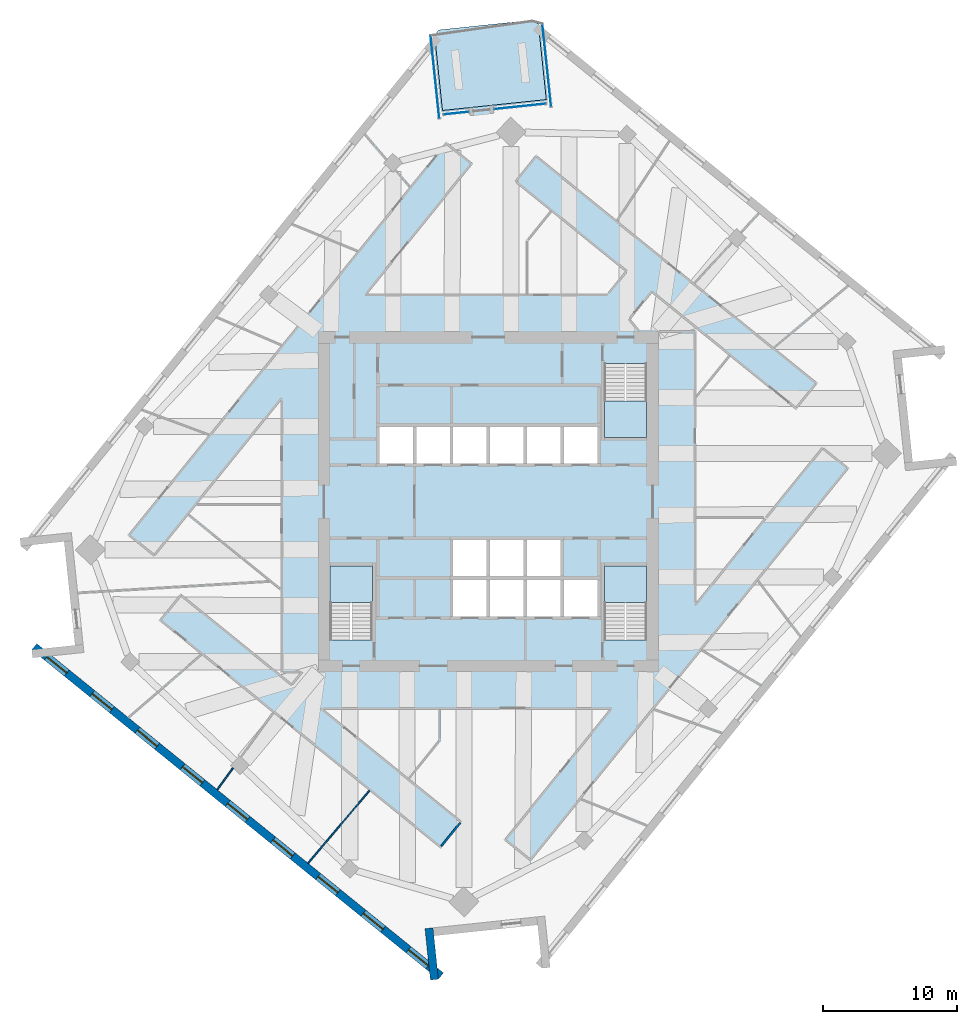
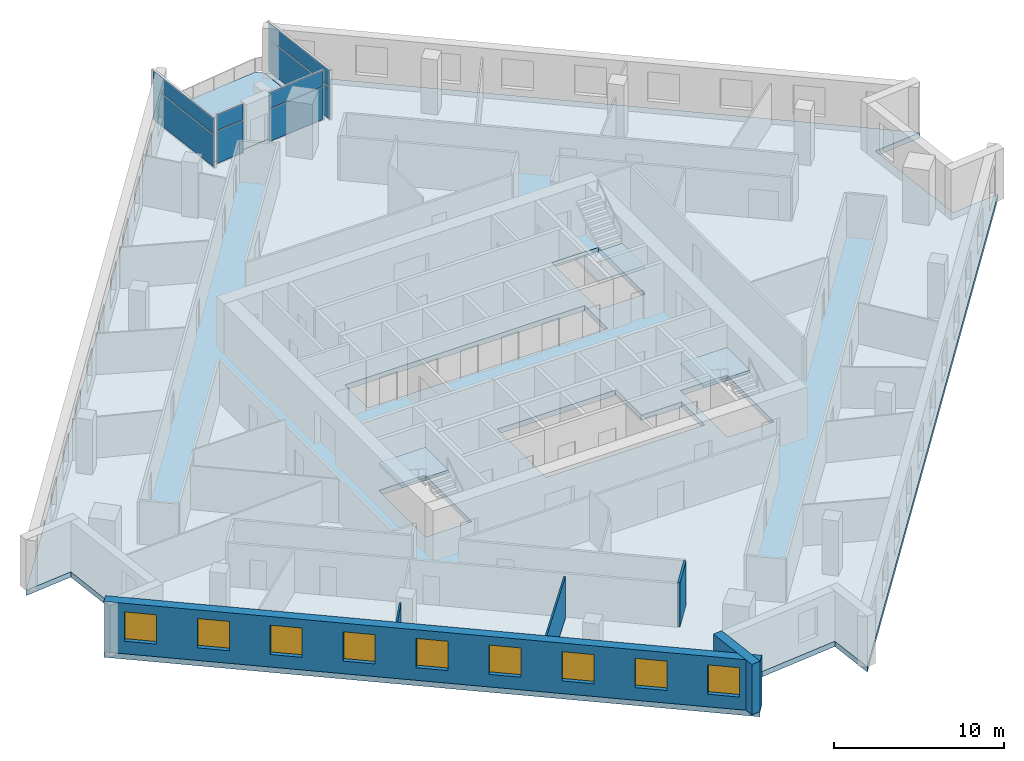
# One storey, part 6 of 14: 9 windows, 8 plates, 5 slabs, 5 walls, 9 openings, 7 elements without a shape of their own.
"""IFC4 building model written with IfcOpenShell, lengths in metres."""

from ifc_helpers import new_model, si_unit, direction, frame, frame_2d, origin, origin_2d, place, context, subcontext, project, spatial, polyline, rectangle, outline, extrude, material, layer, layer_set, type_object, element, fill, aggregate, save


model = new_model("IFC4")

# Units and contexts
model_context = context("Model", 3, precision=1e-05, world=origin(), true_north=direction((0.0, 1.0)))
body_context = subcontext(model_context, "Body", "Model", "MODEL_VIEW")
ifc_project = project(units=[si_unit("LENGTHUNIT", "METRE"), si_unit("AREAUNIT", "SQUARE_METRE"), si_unit("VOLUMEUNIT", "CUBIC_METRE"), si_unit("PLANEANGLEUNIT", "RADIAN"), si_unit("MASSUNIT", "GRAM", prefix="KILO")], contexts=[model_context])

# Site, building, storey
site_placement = place(None, origin())
site = spatial("IfcSite", under=ifc_project, at=site_placement, CompositionType="ELEMENT")
building_placement = place(site_placement, origin())
building = spatial("IfcBuilding", under=site, at=building_placement, Name="Dilmun Exchange Tower", CompositionType="ELEMENT")
storey_placement = place(building_placement, frame((0.0, 0.0, 225.300048828125)))
storey = spatial("IfcBuildingStorey", under=building, at=storey_placement, Name="L53", CompositionType="ELEMENT", Elevation=225.300048828125)

# Stair, slab
ifc_material_1 = material(Name="Concrete C40/50", Category="concrete")
stair_type = type_object("IfcStairType", Name="Exit stair 1500 half-turn", PredefinedType="HALF_TURN_STAIR", material=ifc_material_1)
stair_1_placement = place(storey_placement, origin())
stair_1 = element("IfcStair", 1, at=stair_1_placement, inside=storey, type_object=stair_type, Name="L53 Protected exit stair ST1", PredefinedType="HALF_TURN_STAIR")
ifc_layer_1 = layer(ifc_material_1, 0.199951171875)
ifc_layer_set_1 = layer_set([ifc_layer_1], Name="Concrete C40/50")
slab_type_1 = type_object("IfcSlabType", Name="Exit stair landing 200", PredefinedType="LANDING", material=ifc_layer_set_1)
slab_1_placement = place(storey_placement, frame((0.0, 0.0, 1.800048828125)))
slab_1 = element("IfcSlab", 2, at=slab_1_placement, type_object=slab_type_1, Name="ST1 landing 1", PredefinedType="LANDING", context=body_context, shape_type="SweptSolid", body=[
    extrude(outline(polyline([(8.64990234375, 7.5), (8.64990234375, 4.800048828125), (11.800048828125, 4.800048828125), (11.800048828125, 7.5), (8.64990234375, 7.5)])), origin(), (0.0, 0.0, 1.0), 0.199951171875),
])
aggregate(stair_1, [slab_1])

stair_2_placement = place(storey_placement, origin())
stair_2 = element("IfcStair", 3, at=stair_2_placement, inside=storey, type_object=stair_type, Name="L53 Protected exit stair ST2", PredefinedType="HALF_TURN_STAIR")
slab_2_placement = place(storey_placement, frame((0.0, 0.0, 1.800048828125)))
slab_2 = element("IfcSlab", 4, at=slab_2_placement, type_object=slab_type_1, Name="ST2 landing 1", PredefinedType="LANDING", context=body_context, shape_type="SweptSolid", body=[
    extrude(outline(polyline([(-8.64990234375, -7.5), (-8.64990234375, -4.800048828125), (-11.800048828125, -4.800048828125), (-11.800048828125, -7.5), (-8.64990234375, -7.5)])), origin(), (0.0, 0.0, 1.0), 0.199951171875),
])
aggregate(stair_2, [slab_2])

stair_3_placement = place(storey_placement, origin())
stair_3 = element("IfcStair", 5, at=stair_3_placement, inside=storey, type_object=stair_type, Name="L53 Protected exit stair ST3", PredefinedType="HALF_TURN_STAIR")
slab_3_placement = place(storey_placement, frame((0.0, 0.0, 1.800048828125)))
slab_3 = element("IfcSlab", 6, at=slab_3_placement, type_object=slab_type_1, Name="ST3 landing 1", PredefinedType="LANDING", context=body_context, shape_type="SweptSolid", body=[
    extrude(outline(polyline([(11.800048828125, -7.5), (11.800048828125, -4.800048828125), (8.64990234375, -4.800048828125), (8.64990234375, -7.5), (11.800048828125, -7.5)])), origin(), (0.0, 0.0, 1.0), 0.199951171875),
])
aggregate(stair_3, [slab_3])

# Curtain wall, plates
ifc_material_2 = material(Name="Anodised aluminium and clear glass", Category="aluminium")
curtain_wall_type = type_object("IfcCurtainWallType", Name="Garden corner glazing", PredefinedType="NOTDEFINED", material=ifc_material_2)
curtain_wall_1_placement = place(storey_placement, origin())
curtain_wall_1 = element("IfcCurtainWall", 7, at=curtain_wall_1_placement, inside=storey, type_object=curtain_wall_type, Name="Garden corner glazing run GC1.1", PredefinedType="NOTDEFINED")
ifc_material_3 = material(Name="Clear glass", Category="glass")
ifc_layer_2 = layer(ifc_material_3, 0.028076171875)
ifc_layer_set_2 = layer_set([ifc_layer_2], Name="Clear glass")
plate_type = type_object("IfcPlateType", Name="Garden corner glazing glass panel 28", PredefinedType="CURTAIN_PANEL", material=ifc_layer_set_2)
plate_1_placement = place(storey_placement, frame((4.35009765625, 32.511474609375, 0.059814453125), z_axis=(0.0, 0.0, 1.0), x_axis=(0.104539779931, -0.994520705874, 0.0)))
plate_1 = element("IfcPlate", 8, at=plate_1_placement, type_object=plate_type, Name="GC1.1 panel 1.1", PredefinedType="CURTAIN_PANEL", context=body_context, shape_type="SweptSolid", body=[
    extrude(rectangle(XDim=6.12646484375, YDim=0.028076171875, at=origin_2d()), origin(), (0.0, 0.0, 1.0), 2.31005859375),
])
plate_2_placement = place(storey_placement, frame((4.35009765625, 32.511474609375, 2.429931640625), z_axis=(0.0, 0.0, 1.0), x_axis=(0.104539779931, -0.994520705874, 0.0)))
plate_2 = element("IfcPlate", 9, at=plate_2_placement, type_object=plate_type, Name="GC1.1 panel 1.2", PredefinedType="CURTAIN_PANEL", context=body_context, shape_type="SweptSolid", body=[
    extrude(rectangle(XDim=6.12646484375, YDim=0.028076171875, at=origin_2d()), origin(), (0.0, 0.0, 1.0), 1.1298828125),
])
aggregate(curtain_wall_1, [plate_1, plate_2])

curtain_wall_2_placement = place(storey_placement, origin())
curtain_wall_2 = element("IfcCurtainWall", 10, at=curtain_wall_2_placement, inside=storey, type_object=curtain_wall_type, Name="Garden corner glazing run GC2.1", PredefinedType="NOTDEFINED")
plate_3_placement = place(storey_placement, frame((2.36328125, 29.4638671875, 0.059814453125), z_axis=(0.0, 0.0, 1.0), x_axis=(-0.994521101078, -0.104536020157, 0.0)))
plate_3 = element("IfcPlate", 11, at=plate_3_placement, type_object=plate_type, Name="GC2.1 panel 1.1", PredefinedType="CURTAIN_PANEL", context=body_context, shape_type="SweptSolid", body=[
    extrude(rectangle(XDim=3.869140625, YDim=0.028076171875, at=origin_2d()), origin(), (0.0, 0.0, 1.0), 2.31005859375),
])
plate_4_placement = place(storey_placement, frame((2.36328125, 29.4638671875, 2.429931640625), z_axis=(0.0, 0.0, 1.0), x_axis=(-0.994521101078, -0.104536020157, 0.0)))
plate_4 = element("IfcPlate", 12, at=plate_4_placement, type_object=plate_type, Name="GC2.1 panel 1.2", PredefinedType="CURTAIN_PANEL", context=body_context, shape_type="SweptSolid", body=[
    extrude(rectangle(XDim=3.869140625, YDim=0.028076171875, at=origin_2d()), origin(), (0.0, 0.0, 1.0), 1.1298828125),
])
aggregate(curtain_wall_2, [plate_3, plate_4])

curtain_wall_3_placement = place(storey_placement, origin())
curtain_wall_3 = element("IfcCurtainWall", 13, at=curtain_wall_3_placement, inside=storey, type_object=curtain_wall_type, Name="Garden corner glazing run GC2.3", PredefinedType="NOTDEFINED")
plate_5_placement = place(storey_placement, frame((-2.399658203125, 28.963134765625, 0.059814453125), z_axis=(0.0, 0.0, 1.0), x_axis=(-0.99452279416, -0.104519911481, 0.0)))
plate_5 = element("IfcPlate", 14, at=plate_5_placement, type_object=plate_type, Name="GC2.3 panel 1.1", PredefinedType="CURTAIN_PANEL", context=body_context, shape_type="SweptSolid", body=[
    extrude(rectangle(XDim=1.869140625, YDim=0.028076171875, at=origin_2d()), origin(), (0.0, 0.0, 1.0), 2.31005859375),
])
plate_6_placement = place(storey_placement, frame((-2.399658203125, 28.963134765625, 2.429931640625), z_axis=(0.0, 0.0, 1.0), x_axis=(-0.99452279416, -0.104519911481, 0.0)))
plate_6 = element("IfcPlate", 15, at=plate_6_placement, type_object=plate_type, Name="GC2.3 panel 1.2", PredefinedType="CURTAIN_PANEL", context=body_context, shape_type="SweptSolid", body=[
    extrude(rectangle(XDim=1.869140625, YDim=0.028076171875, at=origin_2d()), origin(), (0.0, 0.0, 1.0), 1.1298828125),
])
aggregate(curtain_wall_3, [plate_5, plate_6])

curtain_wall_4_placement = place(storey_placement, origin())
curtain_wall_4 = element("IfcCurtainWall", 16, at=curtain_wall_4_placement, inside=storey, type_object=curtain_wall_type, Name="Garden corner glazing run GC3.1", PredefinedType="NOTDEFINED")
plate_7_placement = place(storey_placement, frame((-3.982177734375, 31.635498046875, 0.059814453125), z_axis=(0.0, 0.0, 1.0), x_axis=(-0.104539779931, 0.994520705874, 0.0)))
plate_7 = element("IfcPlate", 17, at=plate_7_placement, type_object=plate_type, Name="GC3.1 panel 1.1", PredefinedType="CURTAIN_PANEL", context=body_context, shape_type="SweptSolid", body=[
    extrude(rectangle(XDim=6.12646484375, YDim=0.028076171875, at=origin_2d()), origin(), (0.0, 0.0, 1.0), 2.31005859375),
])
plate_8_placement = place(storey_placement, frame((-3.982177734375, 31.635498046875, 2.429931640625), z_axis=(0.0, 0.0, 1.0), x_axis=(-0.104539779931, 0.994520705874, 0.0)))
plate_8 = element("IfcPlate", 18, at=plate_8_placement, type_object=plate_type, Name="GC3.1 panel 1.2", PredefinedType="CURTAIN_PANEL", context=body_context, shape_type="SweptSolid", body=[
    extrude(rectangle(XDim=6.12646484375, YDim=0.028076171875, at=origin_2d()), origin(), (0.0, 0.0, 1.0), 1.1298828125),
])
aggregate(curtain_wall_4, [plate_7, plate_8])

# Slabs
ifc_layer_3 = layer(ifc_material_1, 0.3798828125)
ifc_layer_set_3 = layer_set([ifc_layer_3], Name="Concrete C40/50")
slab_type_2 = type_object("IfcSlabType", Name="RC floor slab 380", PredefinedType="FLOOR", material=ifc_layer_set_3)
slab_4_placement = place(storey_placement, frame((0.0, 0.0, -0.380126953125)))
element("IfcSlab", 19, at=slab_4_placement, inside=storey, type_object=slab_type_2, Name="Floor slab", PredefinedType="FLOOR", context=body_context, shape_type="SweptSolid", body=[
    extrude(outline(polyline([(30.805419921875, 10.703369140625), (31.618408203125, 2.9677734375), (34.846923828125, 3.30712890625), (4.01025390625, -34.773193359375), (3.6708984375, -31.54443359375), (-4.064697265625, -32.357421875), (-3.725341796875, -35.586181640625), (-34.033935546875, -11.04248046875), (-30.805419921875, -10.703369140625), (-31.618408203125, -2.9677734375), (-34.846923828125, -3.30712890625), (-4.01025390625, 34.773193359375), (-3.420166015625, 29.15771484375), (4.3154296875, 29.970703125), (3.725341796875, 35.586181640625), (34.033935546875, 11.04248046875), (30.805419921875, 10.703369140625)]), holes=[polyline([(-8.64990234375, -4.800048828125), (-11.800048828125, -4.800048828125), (-11.800048828125, -10.294921875), (-8.64990234375, -10.294921875), (-8.64990234375, -4.800048828125)]), polyline([(11.800048828125, -4.800048828125), (8.64990234375, -4.800048828125), (8.64990234375, -10.294921875), (11.800048828125, -10.294921875), (11.800048828125, -4.800048828125)]), polyline([(5.375, -2.85009765625), (-2.625, -2.85009765625), (-2.625, -8.550048828125), (8.125, -8.550048828125), (8.125, -5.85009765625), (5.375, -5.85009765625), (5.375, -2.85009765625)]), polyline([(8.125, 2.85009765625), (8.125, 5.550048828125), (-8.125, 5.550048828125), (-8.125, 2.85009765625), (8.125, 2.85009765625)]), polyline([(8.64990234375, 10.294921875), (8.64990234375, 4.800048828125), (11.800048828125, 4.800048828125), (11.800048828125, 10.294921875), (8.64990234375, 10.294921875)])]), origin(), (0.0, 0.0, 1.0), 0.380126953125),
])
ifc_layer_4 = layer(ifc_material_1, 0.300048828125)
ifc_layer_set_4 = layer_set([ifc_layer_4], Name="Concrete C40/50")
slab_type_3 = type_object("IfcSlabType", Name="RC garden terrace slab 300", PredefinedType="FLOOR", material=ifc_layer_set_4)
slab_5_placement = place(storey_placement, frame((0.0, 0.0, -0.300048828125)))
element("IfcSlab", 20, at=slab_5_placement, inside=storey, type_object=slab_type_3, Name="Garden terrace slab", PredefinedType="FLOOR", context=body_context, shape_type="SweptSolid", body=[
    extrude(outline(polyline([(-3.420166015625, 29.15771484375), (-4.01025390625, 34.773193359375), (-3.695556640625, 35.16162109375), (3.336669921875, 35.90087890625), (3.725341796875, 35.586181640625), (4.3154296875, 29.970703125), (-3.420166015625, 29.15771484375)])), origin(), (0.0, 0.0, 1.0), 0.300048828125),
])

# Walls
ifc_material_4 = material(Name="Corridor wall 150")
ifc_layer_5 = layer(ifc_material_4, 0.14990234375)
ifc_layer_set_5 = layer_set([ifc_layer_5], Name="Corridor wall 150")
wall_type_1 = type_object("IfcWallType", Name="Corridor wall 150", PredefinedType="PARTITIONING", material=ifc_layer_set_5)
wall_1_placement = place(storey_placement, frame((-3.5107421875, -25.6767578125, 0.0), z_axis=(0.0, 0.0, 1.0), x_axis=(0.629260625875, 0.777194354536, 0.0)))
element("IfcWall", 21, at=wall_1_placement, inside=storey, type_object=wall_type_1, Name="Corridor wall", PredefinedType="PARTITIONING", context=body_context, shape_type="SweptSolid", body=[
    extrude(rectangle(XDim=2.2509765625, YDim=0.14990234375, at=frame_2d((1.12548828125, 0.0))), origin(), (0.0, 0.0, 1.0), 3.169921875),
])
ifc_material_5 = material(Name="Partition 100")
ifc_layer_6 = layer(ifc_material_5, 0.10009765625)
ifc_layer_set_6 = layer_set([ifc_layer_6], Name="Partition 100")
wall_type_2 = type_object("IfcWallType", Name="Partition 100", PredefinedType="PARTITIONING", material=ifc_layer_set_6)
wall_2_placement = place(storey_placement, frame((-20.20849609375, -21.463623046875, 0.0), z_axis=(0.0, 0.0, 1.0), x_axis=(0.588273501318, 0.808662035492, 0.0)))
element("IfcWall", 22, at=wall_2_placement, inside=storey, type_object=wall_type_2, Name="Partition", PredefinedType="PARTITIONING", context=body_context, shape_type="SweptSolid", body=[
    extrude(rectangle(XDim=1.99609375, YDim=0.10009765625, at=frame_2d((0.998046875, 0.0))), origin(), (0.0, 0.0, 1.0), 3.619873046875),
])
wall_3_placement = place(storey_placement, frame((-13.439208984375, -26.9453125, 0.0), z_axis=(0.0, 0.0, 1.0), x_axis=(0.645645597662, 0.763637192795, 0.0)))
element("IfcWall", 23, at=wall_3_placement, inside=storey, type_object=wall_type_2, Name="Partition", PredefinedType="PARTITIONING", context=body_context, shape_type="SweptSolid", body=[
    extrude(rectangle(XDim=7.084716796875, YDim=0.10009765625, at=frame_2d((3.54248046875, 0.0))), origin(), (0.0, 0.0, 1.0), 2.969970703125),
])

# Wall, openings, windows
ifc_material_6 = material(Name="Precast concrete C50/60", Category="concrete")
ifc_layer_7 = layer(ifc_material_6, 0.60009765625)
ifc_layer_set_7 = layer_set([ifc_layer_7], Name="Precast concrete C50/60")
wall_type_3 = type_object("IfcWallType", Name="Precast stone-clad wall 600", PredefinedType="STANDARD", material=ifc_layer_set_7)
wall_4_placement = place(storey_placement, frame((-33.84521484375, -10.8095703125, 0.0), z_axis=(0.0, 0.0, 1.0), x_axis=(0.777145437972, -0.629321037499, 0.0)))
wall_4 = element("IfcWall", 24, at=wall_4_placement, inside=storey, type_object=wall_type_3, Name="Facade wall L53-07", PredefinedType="STANDARD", context=body_context, shape_type="SweptSolid", body=[
    extrude(rectangle(XDim=39.0, YDim=0.60009765625, at=frame_2d((19.5, 0.0))), origin(), (0.0, 0.0, 1.0), 3.619873046875),
])
opening_1_placement = place(wall_4_placement, frame((1.216796875, 0.0, 0.89990234375)))
opening_1 = element("IfcOpeningElement", 25, at=opening_1_placement, cuts=wall_4, Name="Opening W190-210", PredefinedType="OPENING", context=body_context, shape_type="SweptSolid", body=[
    extrude(rectangle(XDim=1.89990234375, YDim=2.10009765625, at=frame_2d((0.949951171875, 1.050048828125))), frame((0.0, 0.31005859375, 0.0), z_axis=(0.0, -1.0, 0.0), x_axis=(1.0, 0.0, 0.0)), (0.0, 0.0, 1.0), 0.6201171875),
])
opening_2_placement = place(wall_4_placement, frame((5.550048828125, 0.0, 0.89990234375)))
opening_2 = element("IfcOpeningElement", 26, at=opening_2_placement, cuts=wall_4, Name="Opening W190-210", PredefinedType="OPENING", context=body_context, shape_type="SweptSolid", body=[
    extrude(rectangle(XDim=1.89990234375, YDim=2.10009765625, at=frame_2d((0.949951171875, 1.050048828125))), frame((0.0, 0.31005859375, 0.0), z_axis=(0.0, -1.0, 0.0), x_axis=(1.0, 0.0, 0.0)), (0.0, 0.0, 1.0), 0.6201171875),
])
opening_3_placement = place(wall_4_placement, frame((9.88330078125, 0.0, 0.89990234375)))
opening_3 = element("IfcOpeningElement", 27, at=opening_3_placement, cuts=wall_4, Name="Opening W190-210", PredefinedType="OPENING", context=body_context, shape_type="SweptSolid", body=[
    extrude(rectangle(XDim=1.89990234375, YDim=2.10009765625, at=frame_2d((0.949951171875, 1.050048828125))), frame((0.0, 0.31005859375, 0.0), z_axis=(0.0, -1.0, 0.0), x_axis=(1.0, 0.0, 0.0)), (0.0, 0.0, 1.0), 0.6201171875),
])
opening_4_placement = place(wall_4_placement, frame((14.216796875, 0.0, 0.89990234375)))
opening_4 = element("IfcOpeningElement", 28, at=opening_4_placement, cuts=wall_4, Name="Opening W190-210", PredefinedType="OPENING", context=body_context, shape_type="SweptSolid", body=[
    extrude(rectangle(XDim=1.89990234375, YDim=2.10009765625, at=frame_2d((0.949951171875, 1.050048828125))), frame((0.0, 0.31005859375, 0.0), z_axis=(0.0, -1.0, 0.0), x_axis=(1.0, 0.0, 0.0)), (0.0, 0.0, 1.0), 0.6201171875),
])
opening_5_placement = place(wall_4_placement, frame((18.550048828125, 0.0, 0.89990234375)))
opening_5 = element("IfcOpeningElement", 29, at=opening_5_placement, cuts=wall_4, Name="Opening W190-210", PredefinedType="OPENING", context=body_context, shape_type="SweptSolid", body=[
    extrude(rectangle(XDim=1.89990234375, YDim=2.10009765625, at=frame_2d((0.949951171875, 1.050048828125))), frame((0.0, 0.31005859375, 0.0), z_axis=(0.0, -1.0, 0.0), x_axis=(1.0, 0.0, 0.0)), (0.0, 0.0, 1.0), 0.6201171875),
])
opening_6_placement = place(wall_4_placement, frame((22.88330078125, 0.0, 0.89990234375)))
opening_6 = element("IfcOpeningElement", 30, at=opening_6_placement, cuts=wall_4, Name="Opening W190-210", PredefinedType="OPENING", context=body_context, shape_type="SweptSolid", body=[
    extrude(rectangle(XDim=1.89990234375, YDim=2.10009765625, at=frame_2d((0.949951171875, 1.050048828125))), frame((0.0, 0.31005859375, 0.0), z_axis=(0.0, -1.0, 0.0), x_axis=(1.0, 0.0, 0.0)), (0.0, 0.0, 1.0), 0.6201171875),
])
opening_7_placement = place(wall_4_placement, frame((27.216796875, 0.0, 0.89990234375)))
opening_7 = element("IfcOpeningElement", 31, at=opening_7_placement, cuts=wall_4, Name="Opening W190-210", PredefinedType="OPENING", context=body_context, shape_type="SweptSolid", body=[
    extrude(rectangle(XDim=1.89990234375, YDim=2.10009765625, at=frame_2d((0.949951171875, 1.050048828125))), frame((0.0, 0.31005859375, 0.0), z_axis=(0.0, -1.0, 0.0), x_axis=(1.0, 0.0, 0.0)), (0.0, 0.0, 1.0), 0.6201171875),
])
opening_8_placement = place(wall_4_placement, frame((31.550048828125, 0.0, 0.89990234375)))
opening_8 = element("IfcOpeningElement", 32, at=opening_8_placement, cuts=wall_4, Name="Opening W190-210", PredefinedType="OPENING", context=body_context, shape_type="SweptSolid", body=[
    extrude(rectangle(XDim=1.89990234375, YDim=2.10009765625, at=frame_2d((0.949951171875, 1.050048828125))), frame((0.0, 0.31005859375, 0.0), z_axis=(0.0, -1.0, 0.0), x_axis=(1.0, 0.0, 0.0)), (0.0, 0.0, 1.0), 0.6201171875),
])
opening_9_placement = place(wall_4_placement, frame((35.88330078125, 0.0, 0.89990234375)))
opening_9 = element("IfcOpeningElement", 33, at=opening_9_placement, cuts=wall_4, Name="Opening W190-210", PredefinedType="OPENING", context=body_context, shape_type="SweptSolid", body=[
    extrude(rectangle(XDim=1.89990234375, YDim=2.10009765625, at=frame_2d((0.949951171875, 1.050048828125))), frame((0.0, 0.31005859375, 0.0), z_axis=(0.0, -1.0, 0.0), x_axis=(1.0, 0.0, 0.0)), (0.0, 0.0, 1.0), 0.6201171875),
])
ifc_material_7 = material(Name="Clear low-emissivity glass in aluminium frame", Category="aluminium")
window_type = type_object("IfcWindowType", Name="Punched window 1900 x 2100", PartitioningType="DOUBLE_PANEL_VERTICAL", PredefinedType="WINDOW", material=ifc_material_7)
window_1_placement = place(opening_1_placement, origin())
window_1 = element("IfcWindow", 34, at=window_1_placement, inside=storey, type_object=window_type, Name="Window 8.1", OverallHeight=2.10009765625, OverallWidth=1.89990234375, PartitioningType="SINGLE_PANEL", PredefinedType="WINDOW", context=body_context, shape_type="SweptSolid", body=[
    extrude(rectangle(XDim=1.89990234375, YDim=2.10009765625, at=frame_2d((0.949951171875, 1.050048828125))), frame((0.0, 0.030029296875, 0.0), z_axis=(0.0, -1.0, 0.0), x_axis=(1.0, 0.0, 0.0)), (0.0, 0.0, 1.0), 0.06005859375),
])
fill(opening_1, window_1)
window_2_placement = place(opening_2_placement, origin())
window_2 = element("IfcWindow", 35, at=window_2_placement, inside=storey, type_object=window_type, Name="Window 8.2", OverallHeight=2.10009765625, OverallWidth=1.89990234375, PartitioningType="SINGLE_PANEL", PredefinedType="WINDOW", context=body_context, shape_type="SweptSolid", body=[
    extrude(rectangle(XDim=1.89990234375, YDim=2.10009765625, at=frame_2d((0.949951171875, 1.050048828125))), frame((0.0, 0.030029296875, 0.0), z_axis=(0.0, -1.0, 0.0), x_axis=(1.0, 0.0, 0.0)), (0.0, 0.0, 1.0), 0.06005859375),
])
fill(opening_2, window_2)
window_3_placement = place(opening_3_placement, origin())
window_3 = element("IfcWindow", 36, at=window_3_placement, inside=storey, type_object=window_type, Name="Window 8.3", OverallHeight=2.10009765625, OverallWidth=1.89990234375, PartitioningType="SINGLE_PANEL", PredefinedType="WINDOW", context=body_context, shape_type="SweptSolid", body=[
    extrude(rectangle(XDim=1.89990234375, YDim=2.10009765625, at=frame_2d((0.949951171875, 1.050048828125))), frame((0.0, 0.030029296875, 0.0), z_axis=(0.0, -1.0, 0.0), x_axis=(1.0, 0.0, 0.0)), (0.0, 0.0, 1.0), 0.06005859375),
])
fill(opening_3, window_3)
window_4_placement = place(opening_4_placement, origin())
window_4 = element("IfcWindow", 37, at=window_4_placement, inside=storey, type_object=window_type, Name="Window 8.4", OverallHeight=2.10009765625, OverallWidth=1.89990234375, PartitioningType="SINGLE_PANEL", PredefinedType="WINDOW", context=body_context, shape_type="SweptSolid", body=[
    extrude(rectangle(XDim=1.89990234375, YDim=2.10009765625, at=frame_2d((0.949951171875, 1.050048828125))), frame((0.0, 0.030029296875, 0.0), z_axis=(0.0, -1.0, 0.0), x_axis=(1.0, 0.0, 0.0)), (0.0, 0.0, 1.0), 0.06005859375),
])
fill(opening_4, window_4)
window_5_placement = place(opening_5_placement, origin())
window_5 = element("IfcWindow", 38, at=window_5_placement, inside=storey, type_object=window_type, Name="Window 8.5", OverallHeight=2.10009765625, OverallWidth=1.89990234375, PartitioningType="SINGLE_PANEL", PredefinedType="WINDOW", context=body_context, shape_type="SweptSolid", body=[
    extrude(rectangle(XDim=1.89990234375, YDim=2.10009765625, at=frame_2d((0.949951171875, 1.050048828125))), frame((0.0, 0.030029296875, 0.0), z_axis=(0.0, -1.0, 0.0), x_axis=(1.0, 0.0, 0.0)), (0.0, 0.0, 1.0), 0.06005859375),
])
fill(opening_5, window_5)
window_6_placement = place(opening_6_placement, origin())
window_6 = element("IfcWindow", 39, at=window_6_placement, inside=storey, type_object=window_type, Name="Window 8.6", OverallHeight=2.10009765625, OverallWidth=1.89990234375, PartitioningType="SINGLE_PANEL", PredefinedType="WINDOW", context=body_context, shape_type="SweptSolid", body=[
    extrude(rectangle(XDim=1.89990234375, YDim=2.10009765625, at=frame_2d((0.949951171875, 1.050048828125))), frame((0.0, 0.030029296875, 0.0), z_axis=(0.0, -1.0, 0.0), x_axis=(1.0, 0.0, 0.0)), (0.0, 0.0, 1.0), 0.06005859375),
])
fill(opening_6, window_6)
window_7_placement = place(opening_7_placement, origin())
window_7 = element("IfcWindow", 40, at=window_7_placement, inside=storey, type_object=window_type, Name="Window 8.7", OverallHeight=2.10009765625, OverallWidth=1.89990234375, PartitioningType="SINGLE_PANEL", PredefinedType="WINDOW", context=body_context, shape_type="SweptSolid", body=[
    extrude(rectangle(XDim=1.89990234375, YDim=2.10009765625, at=frame_2d((0.949951171875, 1.050048828125))), frame((0.0, 0.030029296875, 0.0), z_axis=(0.0, -1.0, 0.0), x_axis=(1.0, 0.0, 0.0)), (0.0, 0.0, 1.0), 0.06005859375),
])
fill(opening_7, window_7)
window_8_placement = place(opening_8_placement, origin())
window_8 = element("IfcWindow", 41, at=window_8_placement, inside=storey, type_object=window_type, Name="Window 8.8", OverallHeight=2.10009765625, OverallWidth=1.89990234375, PartitioningType="SINGLE_PANEL", PredefinedType="WINDOW", context=body_context, shape_type="SweptSolid", body=[
    extrude(rectangle(XDim=1.89990234375, YDim=2.10009765625, at=frame_2d((0.949951171875, 1.050048828125))), frame((0.0, 0.030029296875, 0.0), z_axis=(0.0, -1.0, 0.0), x_axis=(1.0, 0.0, 0.0)), (0.0, 0.0, 1.0), 0.06005859375),
])
fill(opening_8, window_8)
window_9_placement = place(opening_9_placement, origin())
window_9 = element("IfcWindow", 42, at=window_9_placement, inside=storey, type_object=window_type, Name="Window 8.9", OverallHeight=2.10009765625, OverallWidth=1.89990234375, PartitioningType="SINGLE_PANEL", PredefinedType="WINDOW", context=body_context, shape_type="SweptSolid", body=[
    extrude(rectangle(XDim=1.89990234375, YDim=2.10009765625, at=frame_2d((0.949951171875, 1.050048828125))), frame((0.0, 0.030029296875, 0.0), z_axis=(0.0, -1.0, 0.0), x_axis=(1.0, 0.0, 0.0)), (0.0, 0.0, 1.0), 0.06005859375),
])
fill(opening_9, window_9)

# Wall
wall_5_placement = place(storey_placement, frame((-4.023681640625, -35.617431640625, 0.0), z_axis=(0.0, 0.0, 1.0), x_axis=(-0.104536105602, 0.994521092097, 0.0)))
element("IfcWall", 43, at=wall_5_placement, inside=storey, type_object=wall_type_3, Name="Facade wall L53-08", PredefinedType="STANDARD", context=body_context, shape_type="SweptSolid", body=[
    extrude(rectangle(XDim=3.846435546875, YDim=0.60009765625, at=frame_2d((1.92333984375, 0.0))), origin(), (0.0, 0.0, 1.0), 3.619873046875),
])

save(model, "model.ifc")
